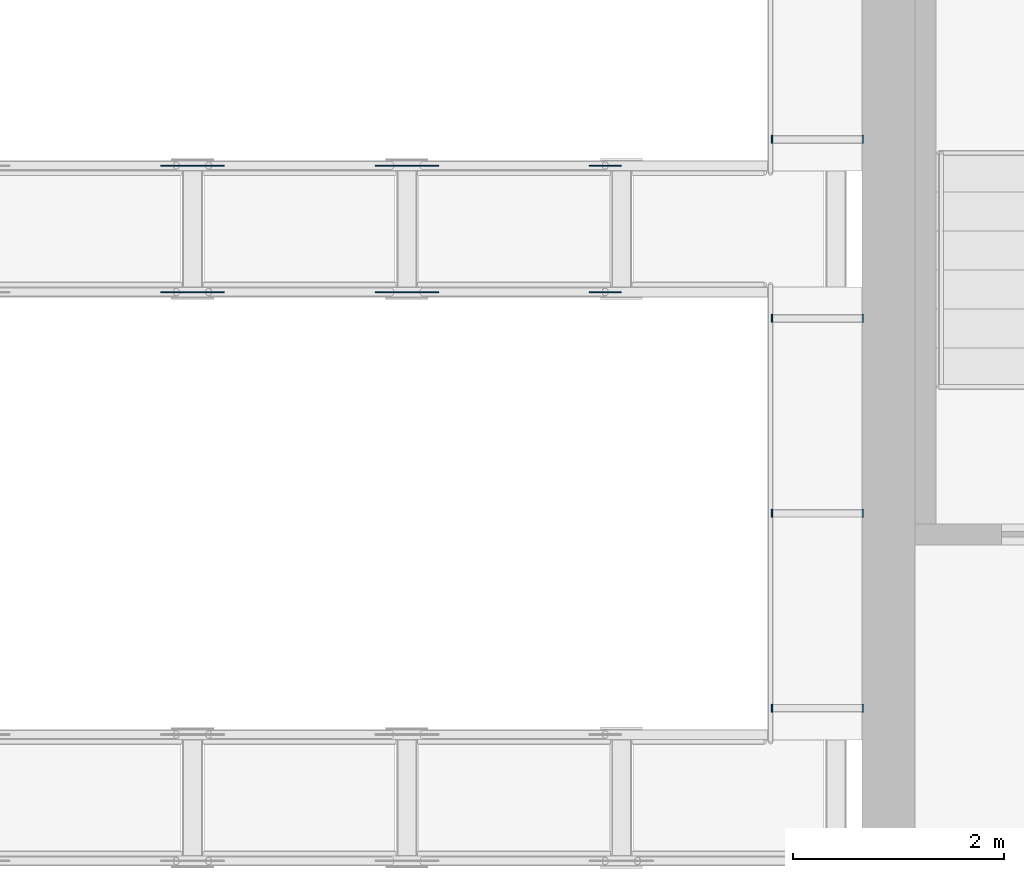
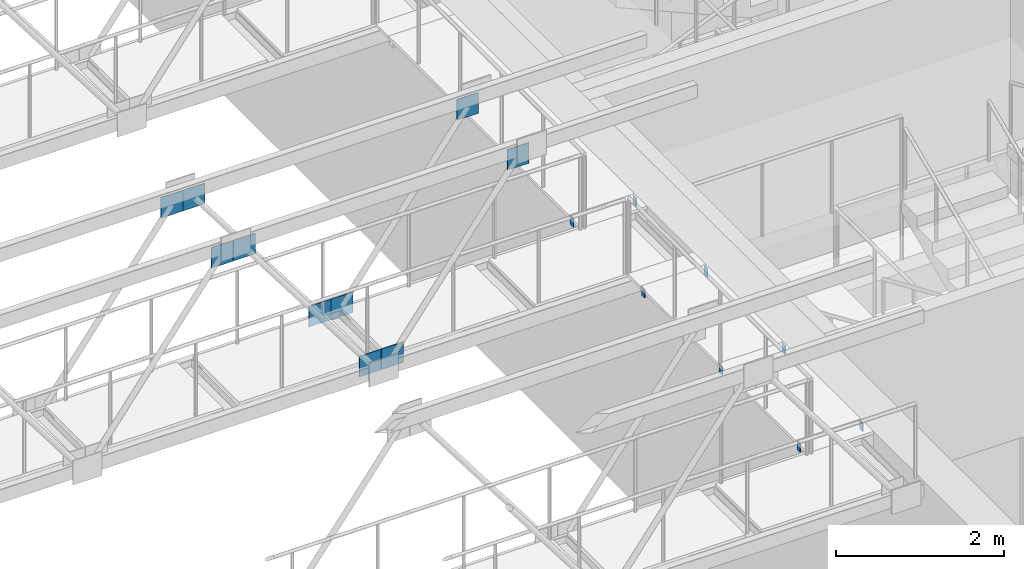
# One storey, part 45 of 70: 18 discrete accessories.
"""IFC4 building model written with IfcOpenShell, lengths in metres."""

from ifc_helpers import new_model, si_unit, direction, frame, origin, origin_2d, place, context, subcontext, project, spatial, rectangle, extrude, material, material_profile, profile_set, type_object, element, save


model = new_model("IFC4")

# Units and contexts
model_context = context("Model", 3, precision=1e-05, world=origin(), true_north=direction((0.0, 1.0)))
body_context = subcontext(model_context, "Body", "Model", "MODEL_VIEW")
ifc_project = project(units=[si_unit("LENGTHUNIT", "METRE"), si_unit("AREAUNIT", "SQUARE_METRE"), si_unit("VOLUMEUNIT", "CUBIC_METRE"), si_unit("PLANEANGLEUNIT", "RADIAN"), si_unit("MASSUNIT", "GRAM", prefix="KILO")], contexts=[model_context])

# Site, building, storey
site_placement = place(None, origin())
site = spatial("IfcSite", under=ifc_project, at=site_placement, CompositionType="ELEMENT")
building_placement = place(site_placement, origin())
building = spatial("IfcBuilding", under=site, at=building_placement, Name="Saffron Lane Theatres", CompositionType="ELEMENT")
storey_placement = place(building_placement, frame((0.0, 0.0, 12.0)))
storey = spatial("IfcBuildingStorey", under=building, at=storey_placement, Name="L02", CompositionType="ELEMENT", Elevation=12.0)

# Discrete accessories
ifc_material_1 = material(Name="Steel Grade 350", Category="steel")
ifc_material_profile_1 = material_profile(ifc_material_1, rectangle(XDim=0.300048828125, YDim=0.300048828125, at=origin_2d()))
ifc_profile_set_1 = profile_set([ifc_material_profile_1], Name="Steel Grade 350")
discrete_accessory_type_1 = type_object("IfcDiscreteAccessoryType", Name="ST-GUSSET CONNECTION PLATE", PredefinedType="BRACKET", material=ifc_profile_set_1)
for number, where, z_axis, x_axis, name in (
    (1, (40.990234375, 62.39501953125, 6.777099609375), (0.0, 1.0, 0.0), (-1.0, 0.0, 0.0), "GB496"),
    (2, (41.295654296875, 62.39501953125, 6.777099609375), (0.0, 1.0, 0.0), (-1.0, 0.0, 0.0), "GB497"),
    (3, (43.02587890625, 62.39501953125, 4.48291015625), (0.0, 1.0, 0.0), (-1.0, 0.0, 0.0), "GB498"),
    (4, (43.331298828125, 62.39501953125, 4.48291015625), (0.0, 1.0, 0.0), (-1.0, 0.0, 0.0), "GB499"),
    (5, (45.0615234375, 62.39501953125, 6.777099609375), (0.0, 1.0, 0.0), (-1.0, 0.0, 0.0), "GB500"),
    (6, (40.990234375, 63.594970703125, 6.777099609375), (0.0, 1.0, 0.0), (-1.0, 0.0, 0.0), "GB520"),
    (7, (41.295654296875, 63.594970703125, 6.777099609375), (0.0, 1.0, 0.0), (-1.0, 0.0, 0.0), "GB521"),
    (8, (43.02587890625, 63.594970703125, 4.48291015625), (0.0, 1.0, 0.0), (-1.0, 0.0, 0.0), "GB522"),
    (9, (43.331298828125, 63.594970703125, 4.48291015625), (0.0, 1.0, 0.0), (-1.0, 0.0, 0.0), "GB523"),
    (10, (45.0615234375, 63.594970703125, 6.777099609375), (0.0, 1.0, 0.0), (-1.0, 0.0, 0.0), "GB524"),
):
    element("IfcDiscreteAccessory", number, at=place(storey_placement, frame(where, z_axis=z_axis, x_axis=x_axis)), inside=storey, type_object=discrete_accessory_type_1, Name=name, PredefinedType="BRACKET", context=body_context, shape_type="SweptSolid", body=[
        extrude(rectangle(XDim=0.300048828125, YDim=0.300048828125, at=origin_2d()), origin(), (0.0, 0.0, 1.0), 0.010009765625),
    ])
ifc_material_2 = material(Name="Steel Grade 350", Category="steel")
ifc_material_profile_2 = material_profile(ifc_material_2, rectangle(XDim=0.074951171875, YDim=0.125, at=origin_2d()))
ifc_profile_set_2 = profile_set([ifc_material_profile_2], Name="Steel Grade 350")
discrete_accessory_type_2 = type_object("IfcDiscreteAccessoryType", Name="ST-STEEL END CAP 125x75x5 RHS", PredefinedType="ANCHORPLATE", material=ifc_profile_set_2)
for number, where, z_axis, x_axis, name in (
    (11, (46.637939453125, 58.449951171875, 4.3974609375), (1.0, 0.0, 0.0), (0.0, 1.0, 0.0), "EC621"),
    (12, (47.5, 58.449951171875, 4.3974609375), (1.0, 0.0, 0.0), (0.0, 1.0, 0.0), "EC622"),
    (13, (46.637939453125, 60.300048828125, 4.3974609375), (1.0, 0.0, 0.0), (0.0, 1.0, 0.0), "EC623"),
    (14, (47.5, 60.300048828125, 4.3974609375), (1.0, 0.0, 0.0), (0.0, 1.0, 0.0), "EC624"),
    (15, (46.637939453125, 62.14990234375, 4.3974609375), (1.0, 0.0, 0.0), (0.0, 1.0, 0.0), "EC625"),
    (16, (47.5, 62.14990234375, 4.3974609375), (1.0, 0.0, 0.0), (0.0, 1.0, 0.0), "EC626"),
    (17, (46.637939453125, 63.85009765625, 4.3974609375), (1.0, 0.0, 0.0), (0.0, 1.0, 0.0), "EC635"),
    (18, (47.5, 63.85009765625, 4.3974609375), (1.0, 0.0, 0.0), (0.0, 1.0, 0.0), "EC636"),
):
    element("IfcDiscreteAccessory", number, at=place(storey_placement, frame(where, z_axis=z_axis, x_axis=x_axis)), inside=storey, type_object=discrete_accessory_type_2, Name=name, PredefinedType="ANCHORPLATE", context=body_context, shape_type="SweptSolid", body=[
        extrude(rectangle(XDim=0.074951171875, YDim=0.125, at=origin_2d()), origin(), (0.0, 0.0, 1.0), 0.011962890625),
    ])

save(model, "model.ifc")
